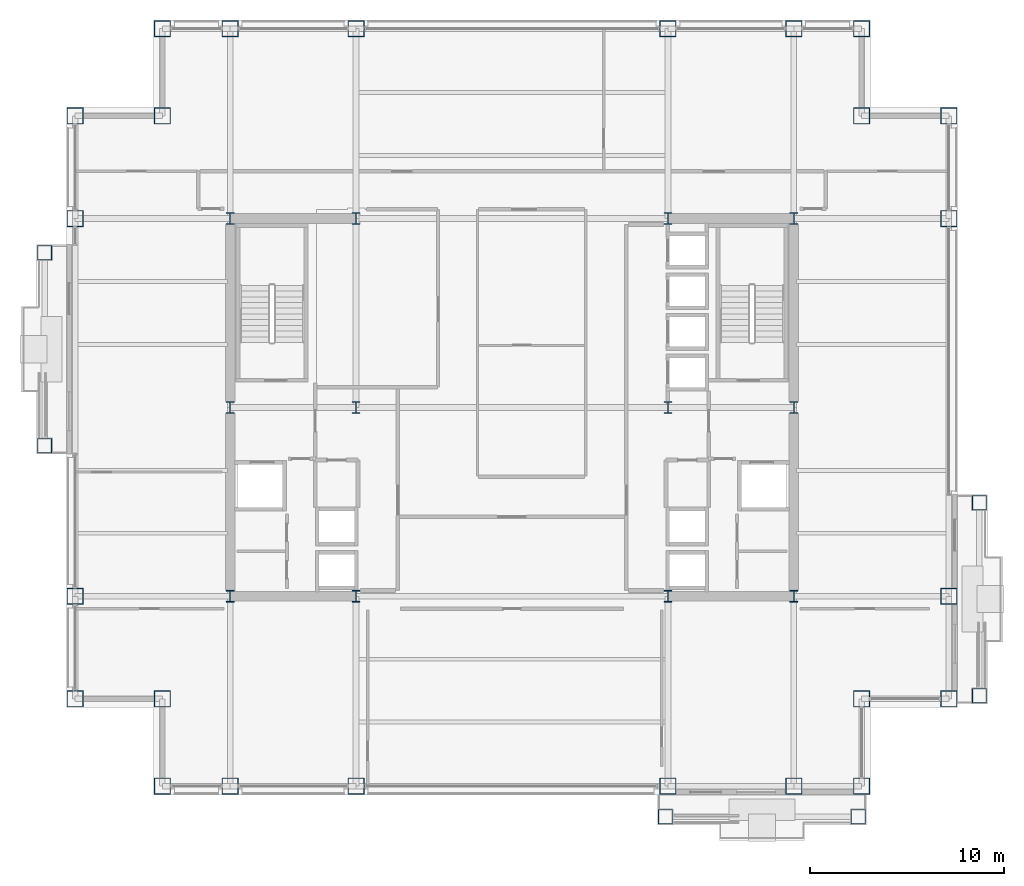
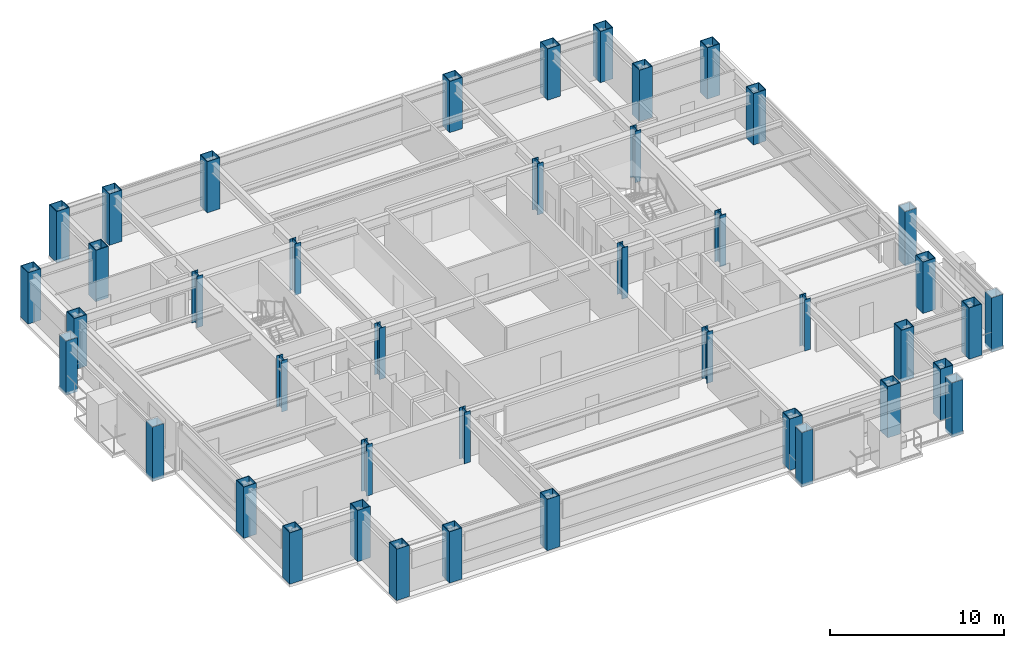
# One storey, part 1 of 29: 42 columns.
"""IFC4 building model written with IfcOpenShell, lengths in metres."""

from ifc_helpers import new_model, si_unit, direction, frame, origin, origin_2d, place, context, subcontext, project, spatial, hollow_rectangle, i_section, extrude, material, material_profile, profile_set, type_object, element, save


model = new_model("IFC4")

# Units and contexts
model_context = context("Model", 3, precision=1e-05, world=origin(), true_north=direction((0.0, 1.0)))
body_context = subcontext(model_context, "Body", "Model", "MODEL_VIEW")
ifc_project = project(units=[si_unit("LENGTHUNIT", "METRE"), si_unit("AREAUNIT", "SQUARE_METRE"), si_unit("VOLUMEUNIT", "CUBIC_METRE"), si_unit("PLANEANGLEUNIT", "RADIAN"), si_unit("MASSUNIT", "GRAM", prefix="KILO")], contexts=[model_context])

# Site, building, storey
site_placement = place(None, origin())
site = spatial("IfcSite", under=ifc_project, at=site_placement, CompositionType="ELEMENT")
building_placement = place(site_placement, origin())
building = spatial("IfcBuilding", under=site, at=building_placement, Name="Brelmoor Portico Tower", CompositionType="ELEMENT")
storey_placement = place(building_placement, frame((0.0, 0.0, 95.39990234375)))
storey = spatial("IfcBuildingStorey", under=building, at=storey_placement, Name="L24", CompositionType="ELEMENT", Elevation=95.39990234375)

# Columns
ifc_material = material(Name="Steel Q355B", Category="steel")
ifc_material_profile_1 = material_profile(ifc_material, hollow_rectangle(XDim=0.75, YDim=0.75, WallThickness=0.031982421875, at=origin_2d()), Name="BOX 750x750x32")
ifc_profile_set_1 = profile_set([ifc_material_profile_1], Name="Steel Q355B")
column_type_1 = type_object("IfcColumnType", Name="COL-MEGA-750", PredefinedType="COLUMN", material=ifc_profile_set_1)
for number, where, z_axis, x_axis, name in (
    (1, (7.919921875, -21.1298828125, -0.199951171875), (0.0, 0.0, 1.0), (1.0, 0.0, 0.0), "L24 Proud Picture-Frame Pier PFJ-S1"),
    (2, (17.8798828125, -21.1298828125, -0.199951171875), (0.0, 0.0, 1.0), (1.0, 0.0, 0.0), "L24 Proud Picture-Frame Pier PFJ-S2"),
    (3, (24.1298828125, -14.8798828125, -0.199951171875), (0.0, 0.0, 1.0), (0.0, 1.0, 0.0), "L24 Proud Picture-Frame Pier PFJ-E1"),
    (4, (24.1298828125, -4.919921875, -0.199951171875), (0.0, 0.0, 1.0), (0.0, 1.0, 0.0), "L24 Proud Picture-Frame Pier PFJ-E2"),
    (5, (-24.1298828125, -1.97998046875, -0.199951171875), (0.0, 0.0, 1.0), (0.0, 1.0, 0.0), "L24 Proud Picture-Frame Pier PFJ-W1"),
    (6, (-24.1298828125, 7.97998046875, -0.199951171875), (0.0, 0.0, 1.0), (0.0, 1.0, 0.0), "L24 Proud Picture-Frame Pier PFJ-W2"),
):
    element("IfcColumn", number, at=place(storey_placement, frame(where, z_axis=z_axis, x_axis=x_axis)), inside=storey, type_object=column_type_1, Name=name, PredefinedType="COLUMN", context=body_context, shape_type="SweptSolid", body=[
        extrude(hollow_rectangle(XDim=0.75, YDim=0.75, WallThickness=0.031982421875, at=origin_2d()), origin(), (0.0, 0.0, 1.0), 3.800048828125),
    ])
ifc_material_profile_2 = material_profile(ifc_material, hollow_rectangle(XDim=0.85009765625, YDim=0.85009765625, WallThickness=0.0400390625, at=origin_2d()), Name="BOX 850x850x40")
ifc_profile_set_2 = profile_set([ifc_material_profile_2], Name="Steel Q355B")
column_type_2 = type_object("IfcColumnType", Name="COL-MEGA-850", PredefinedType="COLUMN", material=ifc_profile_set_2)
for number, where, z_axis, x_axis, name in (
    (7, (-18.050048828125, -19.550048828125, 0.0), (0.0, 0.0, 1.0), (1.0, 0.0, 0.0), "L24 Perimeter Mega-Column PS01"),
    (8, (-14.550048828125, -19.550048828125, 0.0), (0.0, 0.0, 1.0), (1.0, 0.0, 0.0), "L24 Perimeter Mega-Column PS02"),
    (9, (-8.050048828125, -19.550048828125, 0.0), (0.0, 0.0, 1.0), (1.0, 0.0, 0.0), "L24 Perimeter Mega-Column PS03"),
    (10, (8.050048828125, -19.550048828125, 0.0), (0.0, 0.0, 1.0), (1.0, 0.0, 0.0), "L24 Perimeter Mega-Column PS04"),
    (11, (14.550048828125, -19.550048828125, 0.0), (0.0, 0.0, 1.0), (1.0, 0.0, 0.0), "L24 Perimeter Mega-Column PS05"),
    (12, (18.050048828125, -19.550048828125, 0.0), (0.0, 0.0, 1.0), (1.0, 0.0, 0.0), "L24 Perimeter Mega-Column PS06"),
    (13, (-18.050048828125, 19.550048828125, 0.0), (0.0, 0.0, 1.0), (1.0, 0.0, 0.0), "L24 Perimeter Mega-Column PN01"),
    (14, (-14.550048828125, 19.550048828125, 0.0), (0.0, 0.0, 1.0), (1.0, 0.0, 0.0), "L24 Perimeter Mega-Column PN02"),
    (15, (-8.050048828125, 19.550048828125, 0.0), (0.0, 0.0, 1.0), (1.0, 0.0, 0.0), "L24 Perimeter Mega-Column PN03"),
    (16, (8.050048828125, 19.550048828125, 0.0), (0.0, 0.0, 1.0), (1.0, 0.0, 0.0), "L24 Perimeter Mega-Column PN04"),
    (17, (14.550048828125, 19.550048828125, 0.0), (0.0, 0.0, 1.0), (1.0, 0.0, 0.0), "L24 Perimeter Mega-Column PN05"),
    (18, (18.050048828125, 19.550048828125, 0.0), (0.0, 0.0, 1.0), (1.0, 0.0, 0.0), "L24 Perimeter Mega-Column PN06"),
    (19, (-22.550048828125, -15.050048828125, 0.0), (0.0, 0.0, 1.0), (0.0, 1.0, 0.0), "L24 Perimeter Mega-Column PW01"),
    (20, (-22.550048828125, -9.75, 0.0), (0.0, 0.0, 1.0), (0.0, 1.0, 0.0), "L24 Perimeter Mega-Column PW02"),
    (21, (-22.550048828125, 9.75, 0.0), (0.0, 0.0, 1.0), (0.0, 1.0, 0.0), "L24 Perimeter Mega-Column PW03"),
    (22, (-22.550048828125, 15.050048828125, 0.0), (0.0, 0.0, 1.0), (0.0, 1.0, 0.0), "L24 Perimeter Mega-Column PW04"),
    (23, (22.550048828125, -15.050048828125, 0.0), (0.0, 0.0, 1.0), (0.0, 1.0, 0.0), "L24 Perimeter Mega-Column PE01"),
    (24, (22.550048828125, -9.75, 0.0), (0.0, 0.0, 1.0), (0.0, 1.0, 0.0), "L24 Perimeter Mega-Column PE02"),
    (25, (22.550048828125, 9.75, 0.0), (0.0, 0.0, 1.0), (0.0, 1.0, 0.0), "L24 Perimeter Mega-Column PE03"),
    (26, (22.550048828125, 15.050048828125, 0.0), (0.0, 0.0, 1.0), (0.0, 1.0, 0.0), "L24 Perimeter Mega-Column PE04"),
    (27, (-18.050048828125, 15.050048828125, 0.0), (0.0, 0.0, 1.0), (1.0, 0.0, 0.0), "L24 Perimeter Mega-Column PC-NW"),
    (28, (18.050048828125, 15.050048828125, 0.0), (0.0, 0.0, 1.0), (1.0, 0.0, 0.0), "L24 Perimeter Mega-Column PC-NE"),
    (29, (18.050048828125, -15.050048828125, 0.0), (0.0, 0.0, 1.0), (1.0, 0.0, 0.0), "L24 Perimeter Mega-Column PC-SE"),
    (30, (-18.050048828125, -15.050048828125, 0.0), (0.0, 0.0, 1.0), (1.0, 0.0, 0.0), "L24 Perimeter Mega-Column PC-SW"),
):
    element("IfcColumn", number, at=place(storey_placement, frame(where, z_axis=z_axis, x_axis=x_axis)), inside=storey, type_object=column_type_2, Name=name, PredefinedType="COLUMN", context=body_context, shape_type="SweptSolid", body=[
        extrude(hollow_rectangle(XDim=0.85009765625, YDim=0.85009765625, WallThickness=0.0400390625, at=origin_2d()), origin(), (0.0, 0.0, 1.0), 3.60009765625),
    ])
ifc_material_profile_3 = material_profile(ifc_material, i_section(OverallWidth=0.39990234375, OverallDepth=0.60009765625, WebThickness=0.02197265625, FlangeThickness=0.035888671875, at=origin_2d()), Name="HW 600x400x22x36")
ifc_profile_set_3 = profile_set([ifc_material_profile_3], Name="Steel Q355B")
column_type_3 = type_object("IfcColumnType", Name="COL-SPINE-600", PredefinedType="COLUMN", material=ifc_profile_set_3)
for number, where, z_axis, x_axis, name in (
    (31, (-14.550048828125, -9.75, 0.0), (0.0, 0.0, 1.0), (1.0, 0.0, 0.0), "L24 Core Spine Column CW-SW"),
    (32, (-14.550048828125, 0.0, 0.0), (0.0, 0.0, 1.0), (1.0, 0.0, 0.0), "L24 Core Spine Column CW-MW"),
    (33, (-14.550048828125, 9.75, 0.0), (0.0, 0.0, 1.0), (1.0, 0.0, 0.0), "L24 Core Spine Column CW-NW"),
    (34, (-8.050048828125, -9.75, 0.0), (0.0, 0.0, 1.0), (1.0, 0.0, 0.0), "L24 Core Spine Column CW-SE"),
    (35, (-8.050048828125, 0.0, 0.0), (0.0, 0.0, 1.0), (1.0, 0.0, 0.0), "L24 Core Spine Column CW-ME"),
    (36, (-8.050048828125, 9.75, 0.0), (0.0, 0.0, 1.0), (1.0, 0.0, 0.0), "L24 Core Spine Column CW-NE"),
    (37, (8.050048828125, -9.75, 0.0), (0.0, 0.0, 1.0), (1.0, 0.0, 0.0), "L24 Core Spine Column CE-SW"),
    (38, (8.050048828125, 0.0, 0.0), (0.0, 0.0, 1.0), (1.0, 0.0, 0.0), "L24 Core Spine Column CE-MW"),
    (39, (8.050048828125, 9.75, 0.0), (0.0, 0.0, 1.0), (1.0, 0.0, 0.0), "L24 Core Spine Column CE-NW"),
    (40, (14.550048828125, -9.75, 0.0), (0.0, 0.0, 1.0), (1.0, 0.0, 0.0), "L24 Core Spine Column CE-SE"),
    (41, (14.550048828125, 0.0, 0.0), (0.0, 0.0, 1.0), (1.0, 0.0, 0.0), "L24 Core Spine Column CE-ME"),
    (42, (14.550048828125, 9.75, 0.0), (0.0, 0.0, 1.0), (1.0, 0.0, 0.0), "L24 Core Spine Column CE-NE"),
):
    element("IfcColumn", number, at=place(storey_placement, frame(where, z_axis=z_axis, x_axis=x_axis)), inside=storey, type_object=column_type_3, Name=name, PredefinedType="COLUMN", context=body_context, shape_type="SweptSolid", body=[
        extrude(i_section(OverallWidth=0.39990234375, OverallDepth=0.60009765625, WebThickness=0.02197265625, FlangeThickness=0.035888671875, at=origin_2d()), origin(), (0.0, 0.0, 1.0), 3.60009765625),
    ])

save(model, "model.ifc")
